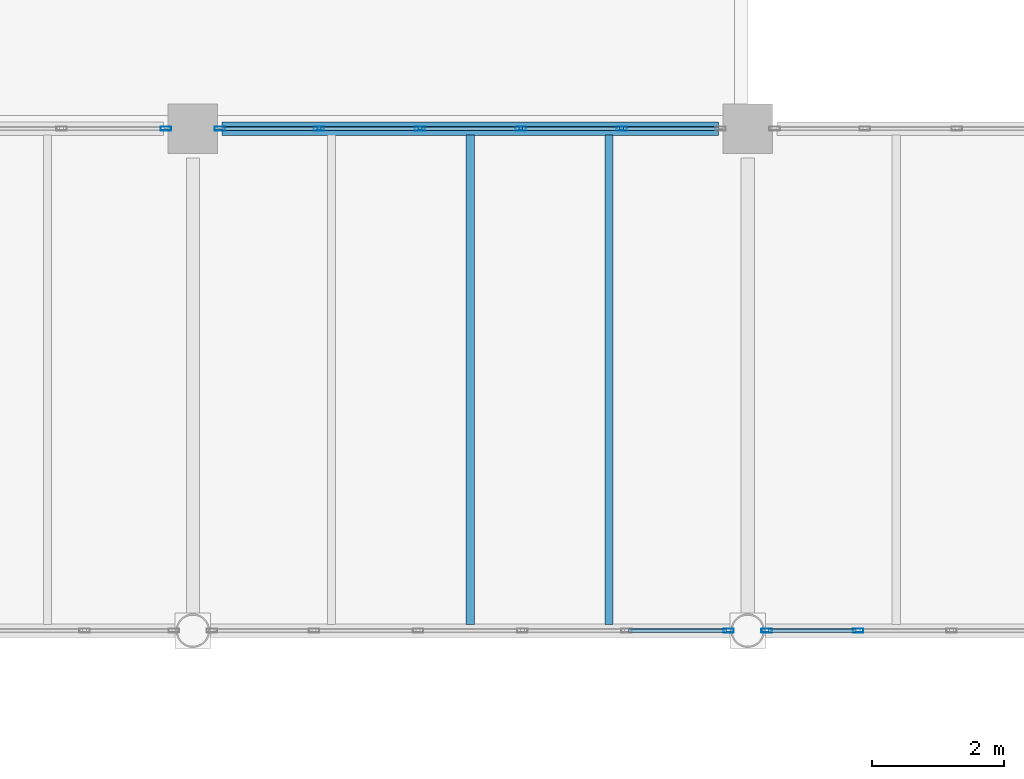
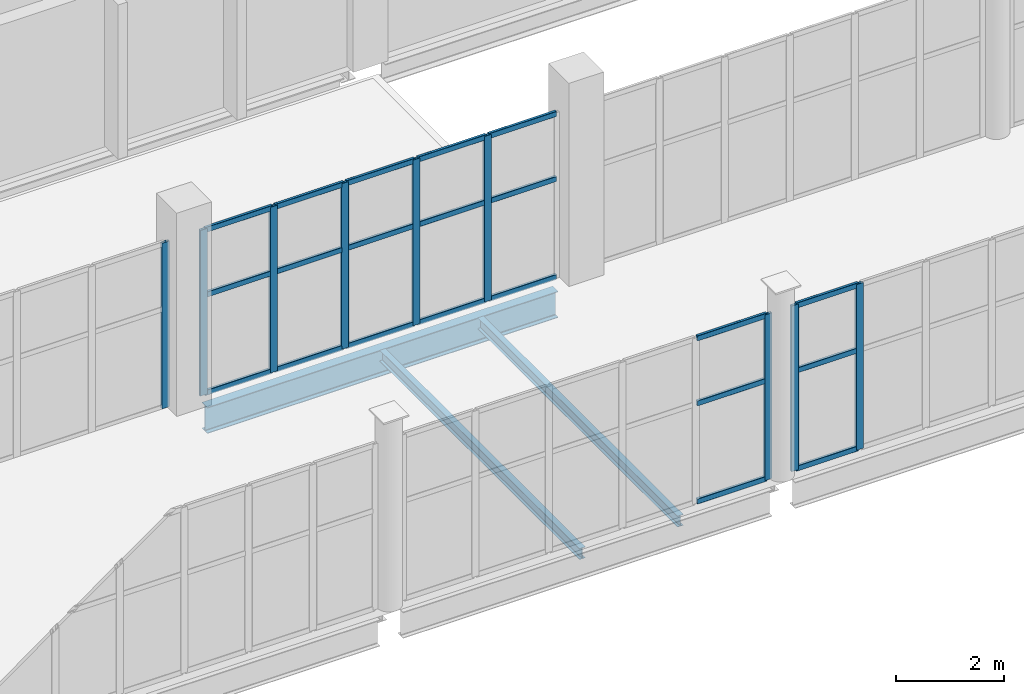
# One storey, part 61 of 136: 30 members, 3 beams, 4 elements without a shape of their own.
"""IFC4 building model written with IfcOpenShell, lengths in metres."""

from ifc_helpers import new_model, si_unit, direction, frame, origin, origin_2d, place, context, subcontext, project, spatial, hollow_rectangle, i_section, extrude, material, material_profile, profile_set, type_object, element, aggregate, save


model = new_model("IFC4")

# Units and contexts
model_context = context("Model", 3, precision=1e-05, world=origin(), true_north=direction((0.0, 1.0)))
body_context = subcontext(model_context, "Body", "Model", "MODEL_VIEW")
ifc_project = project(units=[si_unit("LENGTHUNIT", "METRE"), si_unit("AREAUNIT", "SQUARE_METRE"), si_unit("VOLUMEUNIT", "CUBIC_METRE"), si_unit("PLANEANGLEUNIT", "RADIAN"), si_unit("MASSUNIT", "GRAM", prefix="KILO")], contexts=[model_context])

# Site, building, storey
site_placement = place(None, origin())
site = spatial("IfcSite", under=ifc_project, at=site_placement, CompositionType="ELEMENT")
building_placement = place(site_placement, origin())
building = spatial("IfcBuilding", under=site, at=building_placement, Name="Shengluoqiao Park Theatre", CompositionType="ELEMENT")
storey_placement = place(building_placement, frame((0.0, 0.0, 10.0)))
storey = spatial("IfcBuildingStorey", under=building, at=storey_placement, Name="L02", CompositionType="ELEMENT", Elevation=10.0)

# Curtain wall, member
ifc_material_1 = material(Name="Aluminium 6063-T6", Category="aluminium")
curtain_wall_type = type_object("IfcCurtainWallType", Name="ENV-CW-BRIDGE", PredefinedType="NOTDEFINED", material=ifc_material_1)
curtain_wall_1_placement = place(storey_placement, origin())
curtain_wall_1 = element("IfcCurtainWall", 1, at=curtain_wall_1_placement, inside=storey, type_object=curtain_wall_type, Name="L02 Curtain Wall CWX-L02-0109", PredefinedType="NOTDEFINED")
ifc_material_profile_1 = material_profile(ifc_material_1, hollow_rectangle(XDim=0.06005859375, YDim=0.159912109375, WallThickness=0.00390625, InnerFilletRadius=0.00390625, OuterFilletRadius=0.008056640625, at=origin_2d()), Name="ALU MULLION 160x60x4")
ifc_profile_set_1 = profile_set([ifc_material_profile_1], Name="Aluminium 6063-T6")
member_type_1 = type_object("IfcMemberType", Name="ENV-MUL-160", PredefinedType="MULLION", material=ifc_profile_set_1)
member_1_placement = place(storey_placement, frame((112.112060546875, 68.39990234375, 0.0), z_axis=(0.0, 0.0, 1.0), x_axis=(0.0, 1.0, 0.0)))
member_1 = element("IfcMember", 2, at=member_1_placement, type_object=member_type_1, Name="CW-03 mullion 6", PredefinedType="MULLION", context=body_context, shape_type="SweptSolid", body=[
    extrude(hollow_rectangle(XDim=0.06005859375, YDim=0.159912109375, WallThickness=0.00390625, InnerFilletRadius=0.00390625, OuterFilletRadius=0.008056640625, at=origin_2d()), origin(), (0.0, 0.0, 1.0), 3.751953125),
])

# Curtain wall, members
curtain_wall_2_placement = place(storey_placement, origin())
curtain_wall_2 = element("IfcCurtainWall", 3, at=curtain_wall_2_placement, inside=storey, type_object=curtain_wall_type, Name="L02 Curtain Wall CWX-L02-0110", PredefinedType="NOTDEFINED")
member_2_placement = place(storey_placement, frame((112.68798828125, 68.39990234375, 0.0), z_axis=(0.0, 0.0, 1.0), x_axis=(0.0, 1.0, 0.0)))
member_2 = element("IfcMember", 4, at=member_2_placement, type_object=member_type_1, Name="CW-03 mullion 1", PredefinedType="MULLION", context=body_context, shape_type="SweptSolid", body=[
    extrude(hollow_rectangle(XDim=0.06005859375, YDim=0.159912109375, WallThickness=0.00390625, InnerFilletRadius=0.00390625, OuterFilletRadius=0.008056640625, at=origin_2d()), origin(), (0.0, 0.0, 1.0), 3.751953125),
])
member_3_placement = place(storey_placement, frame((114.072021484375, 68.39990234375, 0.0), z_axis=(0.0, 0.0, 1.0), x_axis=(0.0, 1.0, 0.0)))
member_3 = element("IfcMember", 5, at=member_3_placement, type_object=member_type_1, Name="CW-03 mullion 2", PredefinedType="MULLION", context=body_context, shape_type="SweptSolid", body=[
    extrude(hollow_rectangle(XDim=0.06005859375, YDim=0.159912109375, WallThickness=0.00390625, InnerFilletRadius=0.00390625, OuterFilletRadius=0.008056640625, at=origin_2d()), origin(), (0.0, 0.0, 1.0), 3.751953125),
])

# Curtain wall, member
curtain_wall_3_placement = place(storey_placement, origin())
curtain_wall_3 = element("IfcCurtainWall", 6, at=curtain_wall_3_placement, inside=storey, type_object=curtain_wall_type, Name="L02 Curtain Wall CWX-L02-0116", PredefinedType="NOTDEFINED")
member_4_placement = place(storey_placement, frame((103.591064453125, 76.0, 0.0), z_axis=(0.0, 0.0, 1.0), x_axis=(0.0, 1.0, 0.0)))
member_4 = element("IfcMember", 7, at=member_4_placement, type_object=member_type_1, Name="CW-03 mullion 6", PredefinedType="MULLION", context=body_context, shape_type="SweptSolid", body=[
    extrude(hollow_rectangle(XDim=0.06005859375, YDim=0.159912109375, WallThickness=0.00390625, InnerFilletRadius=0.00390625, OuterFilletRadius=0.008056640625, at=origin_2d()), origin(), (0.0, 0.0, 1.0), 3.751953125),
])
aggregate(curtain_wall_3, [member_4])

# Curtain wall, members
curtain_wall_4_placement = place(storey_placement, origin())
curtain_wall_4 = element("IfcCurtainWall", 8, at=curtain_wall_4_placement, inside=storey, type_object=curtain_wall_type, Name="L02 Curtain Wall CWX-L02-0117", PredefinedType="NOTDEFINED")
member_5_placement = place(storey_placement, frame((104.408935546875, 76.0, 0.0), z_axis=(0.0, 0.0, 1.0), x_axis=(0.0, 1.0, 0.0)))
member_5 = element("IfcMember", 9, at=member_5_placement, type_object=member_type_1, Name="CW-03 mullion 1", PredefinedType="MULLION", context=body_context, shape_type="SweptSolid", body=[
    extrude(hollow_rectangle(XDim=0.06005859375, YDim=0.159912109375, WallThickness=0.00390625, InnerFilletRadius=0.00390625, OuterFilletRadius=0.008056640625, at=origin_2d()), origin(), (0.0, 0.0, 1.0), 3.751953125),
])
member_6_placement = place(storey_placement, frame((105.907470703125, 76.0, 0.0), z_axis=(0.0, 0.0, 1.0), x_axis=(0.0, 1.0, 0.0)))
member_6 = element("IfcMember", 10, at=member_6_placement, type_object=member_type_1, Name="CW-03 mullion 2", PredefinedType="MULLION", context=body_context, shape_type="SweptSolid", body=[
    extrude(hollow_rectangle(XDim=0.06005859375, YDim=0.159912109375, WallThickness=0.00390625, InnerFilletRadius=0.00390625, OuterFilletRadius=0.008056640625, at=origin_2d()), origin(), (0.0, 0.0, 1.0), 3.751953125),
])
member_7_placement = place(storey_placement, frame((107.435791015625, 76.0, 0.0), z_axis=(0.0, 0.0, 1.0), x_axis=(0.0, 1.0, 0.0)))
member_7 = element("IfcMember", 11, at=member_7_placement, type_object=member_type_1, Name="CW-03 mullion 3", PredefinedType="MULLION", context=body_context, shape_type="SweptSolid", body=[
    extrude(hollow_rectangle(XDim=0.06005859375, YDim=0.159912109375, WallThickness=0.00390625, InnerFilletRadius=0.00390625, OuterFilletRadius=0.008056640625, at=origin_2d()), origin(), (0.0, 0.0, 1.0), 3.751953125),
])
member_8_placement = place(storey_placement, frame((108.964111328125, 76.0, 0.0), z_axis=(0.0, 0.0, 1.0), x_axis=(0.0, 1.0, 0.0)))
member_8 = element("IfcMember", 12, at=member_8_placement, type_object=member_type_1, Name="CW-03 mullion 4", PredefinedType="MULLION", context=body_context, shape_type="SweptSolid", body=[
    extrude(hollow_rectangle(XDim=0.06005859375, YDim=0.159912109375, WallThickness=0.00390625, InnerFilletRadius=0.00390625, OuterFilletRadius=0.008056640625, at=origin_2d()), origin(), (0.0, 0.0, 1.0), 3.751953125),
])
member_9_placement = place(storey_placement, frame((110.49267578125, 76.0, 0.0), z_axis=(0.0, 0.0, 1.0), x_axis=(0.0, 1.0, 0.0)))
member_9 = element("IfcMember", 13, at=member_9_placement, type_object=member_type_1, Name="CW-03 mullion 5", PredefinedType="MULLION", context=body_context, shape_type="SweptSolid", body=[
    extrude(hollow_rectangle(XDim=0.06005859375, YDim=0.159912109375, WallThickness=0.00390625, InnerFilletRadius=0.00390625, OuterFilletRadius=0.008056640625, at=origin_2d()), origin(), (0.0, 0.0, 1.0), 3.751953125),
])

# Member
ifc_material_profile_2 = material_profile(ifc_material_1, hollow_rectangle(XDim=0.06005859375, YDim=0.1201171875, WallThickness=0.00390625, InnerFilletRadius=0.00390625, OuterFilletRadius=0.008056640625, at=origin_2d()), Name="ALU TRANSOM 120x60x4")
ifc_profile_set_2 = profile_set([ifc_material_profile_2], Name="Aluminium 6063-T6")
member_type_2 = type_object("IfcMemberType", Name="ENV-TRN-120", PredefinedType="USERDEFINED", material=ifc_profile_set_2)
member_10_placement = place(storey_placement, frame((110.59521484375, 68.39990234375, 0.030029296875), z_axis=(1.0, 0.0, 0.0), x_axis=(0.0, 1.0, 0.0)))
member_10 = element("IfcMember", 14, at=member_10_placement, type_object=member_type_2, Name="CW-03 transom 5.1", ObjectType="TRANSOM", PredefinedType="USERDEFINED", context=body_context, shape_type="SweptSolid", body=[
    extrude(hollow_rectangle(XDim=0.06005859375, YDim=0.1201171875, WallThickness=0.00390625, InnerFilletRadius=0.00390625, OuterFilletRadius=0.008056640625, at=origin_2d()), origin(), (0.0, 0.0, 1.0), 1.48681640625),
])

member_11_placement = place(storey_placement, frame((110.59521484375, 68.39990234375, 2.2509765625), z_axis=(1.0, 0.0, 0.0), x_axis=(0.0, 1.0, 0.0)))
member_11 = element("IfcMember", 15, at=member_11_placement, type_object=member_type_2, Name="CW-03 transom 5.2", ObjectType="TRANSOM", PredefinedType="USERDEFINED", context=body_context, shape_type="SweptSolid", body=[
    extrude(hollow_rectangle(XDim=0.06005859375, YDim=0.1201171875, WallThickness=0.00390625, InnerFilletRadius=0.00390625, OuterFilletRadius=0.008056640625, at=origin_2d()), origin(), (0.0, 0.0, 1.0), 1.48681640625),
])

member_12_placement = place(storey_placement, frame((110.59521484375, 68.39990234375, 3.721923828125), z_axis=(1.0, 0.0, 0.0), x_axis=(0.0, 1.0, 0.0)))
member_12 = element("IfcMember", 16, at=member_12_placement, type_object=member_type_2, Name="CW-03 transom 5.3", ObjectType="TRANSOM", PredefinedType="USERDEFINED", context=body_context, shape_type="SweptSolid", body=[
    extrude(hollow_rectangle(XDim=0.06005859375, YDim=0.1201171875, WallThickness=0.00390625, InnerFilletRadius=0.00390625, OuterFilletRadius=0.008056640625, at=origin_2d()), origin(), (0.0, 0.0, 1.0), 1.48681640625),
])

aggregate(curtain_wall_1, [member_1, member_10, member_11, member_12])

member_13_placement = place(storey_placement, frame((112.718017578125, 68.39990234375, 0.030029296875), z_axis=(1.0, 0.0, 0.0), x_axis=(0.0, 1.0, 0.0)))
member_13 = element("IfcMember", 17, at=member_13_placement, type_object=member_type_2, Name="CW-03 transom 1.1", ObjectType="TRANSOM", PredefinedType="USERDEFINED", context=body_context, shape_type="SweptSolid", body=[
    extrude(hollow_rectangle(XDim=0.06005859375, YDim=0.1201171875, WallThickness=0.00390625, InnerFilletRadius=0.00390625, OuterFilletRadius=0.008056640625, at=origin_2d()), origin(), (0.0, 0.0, 1.0), 1.323974609375),
])

member_14_placement = place(storey_placement, frame((112.718017578125, 68.39990234375, 2.2509765625), z_axis=(1.0, 0.0, 0.0), x_axis=(0.0, 1.0, 0.0)))
member_14 = element("IfcMember", 18, at=member_14_placement, type_object=member_type_2, Name="CW-03 transom 1.2", ObjectType="TRANSOM", PredefinedType="USERDEFINED", context=body_context, shape_type="SweptSolid", body=[
    extrude(hollow_rectangle(XDim=0.06005859375, YDim=0.1201171875, WallThickness=0.00390625, InnerFilletRadius=0.00390625, OuterFilletRadius=0.008056640625, at=origin_2d()), origin(), (0.0, 0.0, 1.0), 1.323974609375),
])

member_15_placement = place(storey_placement, frame((112.718017578125, 68.39990234375, 3.721923828125), z_axis=(1.0, 0.0, 0.0), x_axis=(0.0, 1.0, 0.0)))
member_15 = element("IfcMember", 19, at=member_15_placement, type_object=member_type_2, Name="CW-03 transom 1.3", ObjectType="TRANSOM", PredefinedType="USERDEFINED", context=body_context, shape_type="SweptSolid", body=[
    extrude(hollow_rectangle(XDim=0.06005859375, YDim=0.1201171875, WallThickness=0.00390625, InnerFilletRadius=0.00390625, OuterFilletRadius=0.008056640625, at=origin_2d()), origin(), (0.0, 0.0, 1.0), 1.323974609375),
])

aggregate(curtain_wall_2, [member_2, member_3, member_13, member_14, member_15])

member_16_placement = place(storey_placement, frame((104.43896484375, 76.0, 0.030029296875), z_axis=(1.0, 0.0, 0.0), x_axis=(0.0, 1.0, 0.0)))
member_16 = element("IfcMember", 20, at=member_16_placement, type_object=member_type_2, Name="CW-03 transom 1.1", ObjectType="TRANSOM", PredefinedType="USERDEFINED", context=body_context, shape_type="SweptSolid", body=[
    extrude(hollow_rectangle(XDim=0.06005859375, YDim=0.1201171875, WallThickness=0.00390625, InnerFilletRadius=0.00390625, OuterFilletRadius=0.008056640625, at=origin_2d()), origin(), (0.0, 0.0, 1.0), 1.4384765625),
])

member_17_placement = place(storey_placement, frame((104.43896484375, 76.0, 2.2509765625), z_axis=(1.0, 0.0, 0.0), x_axis=(0.0, 1.0, 0.0)))
member_17 = element("IfcMember", 21, at=member_17_placement, type_object=member_type_2, Name="CW-03 transom 1.2", ObjectType="TRANSOM", PredefinedType="USERDEFINED", context=body_context, shape_type="SweptSolid", body=[
    extrude(hollow_rectangle(XDim=0.06005859375, YDim=0.1201171875, WallThickness=0.00390625, InnerFilletRadius=0.00390625, OuterFilletRadius=0.008056640625, at=origin_2d()), origin(), (0.0, 0.0, 1.0), 1.4384765625),
])

member_18_placement = place(storey_placement, frame((104.43896484375, 76.0, 3.721923828125), z_axis=(1.0, 0.0, 0.0), x_axis=(0.0, 1.0, 0.0)))
member_18 = element("IfcMember", 22, at=member_18_placement, type_object=member_type_2, Name="CW-03 transom 1.3", ObjectType="TRANSOM", PredefinedType="USERDEFINED", context=body_context, shape_type="SweptSolid", body=[
    extrude(hollow_rectangle(XDim=0.06005859375, YDim=0.1201171875, WallThickness=0.00390625, InnerFilletRadius=0.00390625, OuterFilletRadius=0.008056640625, at=origin_2d()), origin(), (0.0, 0.0, 1.0), 1.4384765625),
])

member_19_placement = place(storey_placement, frame((105.9375, 76.0, 0.030029296875), z_axis=(1.0, 0.0, 0.0), x_axis=(0.0, 1.0, 0.0)))
member_19 = element("IfcMember", 23, at=member_19_placement, type_object=member_type_2, Name="CW-03 transom 2.1", ObjectType="TRANSOM", PredefinedType="USERDEFINED", context=body_context, shape_type="SweptSolid", body=[
    extrude(hollow_rectangle(XDim=0.06005859375, YDim=0.1201171875, WallThickness=0.00390625, InnerFilletRadius=0.00390625, OuterFilletRadius=0.008056640625, at=origin_2d()), origin(), (0.0, 0.0, 1.0), 1.46826171875),
])

member_20_placement = place(storey_placement, frame((105.9375, 76.0, 2.2509765625), z_axis=(1.0, 0.0, 0.0), x_axis=(0.0, 1.0, 0.0)))
member_20 = element("IfcMember", 24, at=member_20_placement, type_object=member_type_2, Name="CW-03 transom 2.2", ObjectType="TRANSOM", PredefinedType="USERDEFINED", context=body_context, shape_type="SweptSolid", body=[
    extrude(hollow_rectangle(XDim=0.06005859375, YDim=0.1201171875, WallThickness=0.00390625, InnerFilletRadius=0.00390625, OuterFilletRadius=0.008056640625, at=origin_2d()), origin(), (0.0, 0.0, 1.0), 1.46826171875),
])

member_21_placement = place(storey_placement, frame((105.9375, 76.0, 3.721923828125), z_axis=(1.0, 0.0, 0.0), x_axis=(0.0, 1.0, 0.0)))
member_21 = element("IfcMember", 25, at=member_21_placement, type_object=member_type_2, Name="CW-03 transom 2.3", ObjectType="TRANSOM", PredefinedType="USERDEFINED", context=body_context, shape_type="SweptSolid", body=[
    extrude(hollow_rectangle(XDim=0.06005859375, YDim=0.1201171875, WallThickness=0.00390625, InnerFilletRadius=0.00390625, OuterFilletRadius=0.008056640625, at=origin_2d()), origin(), (0.0, 0.0, 1.0), 1.46826171875),
])

member_22_placement = place(storey_placement, frame((107.4658203125, 76.0, 0.030029296875), z_axis=(1.0, 0.0, 0.0), x_axis=(0.0, 1.0, 0.0)))
member_22 = element("IfcMember", 26, at=member_22_placement, type_object=member_type_2, Name="CW-03 transom 3.1", ObjectType="TRANSOM", PredefinedType="USERDEFINED", context=body_context, shape_type="SweptSolid", body=[
    extrude(hollow_rectangle(XDim=0.06005859375, YDim=0.1201171875, WallThickness=0.00390625, InnerFilletRadius=0.00390625, OuterFilletRadius=0.008056640625, at=origin_2d()), origin(), (0.0, 0.0, 1.0), 1.46826171875),
])

member_23_placement = place(storey_placement, frame((107.4658203125, 76.0, 2.2509765625), z_axis=(1.0, 0.0, 0.0), x_axis=(0.0, 1.0, 0.0)))
member_23 = element("IfcMember", 27, at=member_23_placement, type_object=member_type_2, Name="CW-03 transom 3.2", ObjectType="TRANSOM", PredefinedType="USERDEFINED", context=body_context, shape_type="SweptSolid", body=[
    extrude(hollow_rectangle(XDim=0.06005859375, YDim=0.1201171875, WallThickness=0.00390625, InnerFilletRadius=0.00390625, OuterFilletRadius=0.008056640625, at=origin_2d()), origin(), (0.0, 0.0, 1.0), 1.46826171875),
])

member_24_placement = place(storey_placement, frame((107.4658203125, 76.0, 3.721923828125), z_axis=(1.0, 0.0, 0.0), x_axis=(0.0, 1.0, 0.0)))
member_24 = element("IfcMember", 28, at=member_24_placement, type_object=member_type_2, Name="CW-03 transom 3.3", ObjectType="TRANSOM", PredefinedType="USERDEFINED", context=body_context, shape_type="SweptSolid", body=[
    extrude(hollow_rectangle(XDim=0.06005859375, YDim=0.1201171875, WallThickness=0.00390625, InnerFilletRadius=0.00390625, OuterFilletRadius=0.008056640625, at=origin_2d()), origin(), (0.0, 0.0, 1.0), 1.46826171875),
])

member_25_placement = place(storey_placement, frame((108.994140625, 76.0, 0.030029296875), z_axis=(1.0, 0.0, 0.0), x_axis=(0.0, 1.0, 0.0)))
member_25 = element("IfcMember", 29, at=member_25_placement, type_object=member_type_2, Name="CW-03 transom 4.1", ObjectType="TRANSOM", PredefinedType="USERDEFINED", context=body_context, shape_type="SweptSolid", body=[
    extrude(hollow_rectangle(XDim=0.06005859375, YDim=0.1201171875, WallThickness=0.00390625, InnerFilletRadius=0.00390625, OuterFilletRadius=0.008056640625, at=origin_2d()), origin(), (0.0, 0.0, 1.0), 1.468505859375),
])

member_26_placement = place(storey_placement, frame((108.994140625, 76.0, 2.2509765625), z_axis=(1.0, 0.0, 0.0), x_axis=(0.0, 1.0, 0.0)))
member_26 = element("IfcMember", 30, at=member_26_placement, type_object=member_type_2, Name="CW-03 transom 4.2", ObjectType="TRANSOM", PredefinedType="USERDEFINED", context=body_context, shape_type="SweptSolid", body=[
    extrude(hollow_rectangle(XDim=0.06005859375, YDim=0.1201171875, WallThickness=0.00390625, InnerFilletRadius=0.00390625, OuterFilletRadius=0.008056640625, at=origin_2d()), origin(), (0.0, 0.0, 1.0), 1.468505859375),
])

member_27_placement = place(storey_placement, frame((108.994140625, 76.0, 3.721923828125), z_axis=(1.0, 0.0, 0.0), x_axis=(0.0, 1.0, 0.0)))
member_27 = element("IfcMember", 31, at=member_27_placement, type_object=member_type_2, Name="CW-03 transom 4.3", ObjectType="TRANSOM", PredefinedType="USERDEFINED", context=body_context, shape_type="SweptSolid", body=[
    extrude(hollow_rectangle(XDim=0.06005859375, YDim=0.1201171875, WallThickness=0.00390625, InnerFilletRadius=0.00390625, OuterFilletRadius=0.008056640625, at=origin_2d()), origin(), (0.0, 0.0, 1.0), 1.468505859375),
])

member_28_placement = place(storey_placement, frame((110.522705078125, 76.0, 0.030029296875), z_axis=(1.0, 0.0, 0.0), x_axis=(0.0, 1.0, 0.0)))
member_28 = element("IfcMember", 32, at=member_28_placement, type_object=member_type_2, Name="CW-03 transom 5.1", ObjectType="TRANSOM", PredefinedType="USERDEFINED", context=body_context, shape_type="SweptSolid", body=[
    extrude(hollow_rectangle(XDim=0.06005859375, YDim=0.1201171875, WallThickness=0.00390625, InnerFilletRadius=0.00390625, OuterFilletRadius=0.008056640625, at=origin_2d()), origin(), (0.0, 0.0, 1.0), 1.438232421875),
])

member_29_placement = place(storey_placement, frame((110.522705078125, 76.0, 2.2509765625), z_axis=(1.0, 0.0, 0.0), x_axis=(0.0, 1.0, 0.0)))
member_29 = element("IfcMember", 33, at=member_29_placement, type_object=member_type_2, Name="CW-03 transom 5.2", ObjectType="TRANSOM", PredefinedType="USERDEFINED", context=body_context, shape_type="SweptSolid", body=[
    extrude(hollow_rectangle(XDim=0.06005859375, YDim=0.1201171875, WallThickness=0.00390625, InnerFilletRadius=0.00390625, OuterFilletRadius=0.008056640625, at=origin_2d()), origin(), (0.0, 0.0, 1.0), 1.438232421875),
])

member_30_placement = place(storey_placement, frame((110.522705078125, 76.0, 3.721923828125), z_axis=(1.0, 0.0, 0.0), x_axis=(0.0, 1.0, 0.0)))
member_30 = element("IfcMember", 34, at=member_30_placement, type_object=member_type_2, Name="CW-03 transom 5.3", ObjectType="TRANSOM", PredefinedType="USERDEFINED", context=body_context, shape_type="SweptSolid", body=[
    extrude(hollow_rectangle(XDim=0.06005859375, YDim=0.1201171875, WallThickness=0.00390625, InnerFilletRadius=0.00390625, OuterFilletRadius=0.008056640625, at=origin_2d()), origin(), (0.0, 0.0, 1.0), 1.438232421875),
])

aggregate(curtain_wall_4, [member_5, member_6, member_7, member_8, member_9, member_16, member_17, member_18, member_19, member_20, member_21, member_22, member_23, member_24, member_25, member_26, member_27, member_28, member_29, member_30])

# Beams
ifc_material_2 = material(Name="Steel Q355", Category="steel")
ifc_material_profile_3 = material_profile(ifc_material_2, i_section(OverallWidth=0.125, OverallDepth=0.25, WebThickness=0.006103515625, FlangeThickness=0.009033203125, FilletRadius=0.010009765625, at=origin_2d()), Name="HN 250x125x6x9")
ifc_profile_set_3 = profile_set([ifc_material_profile_3], Name="Steel Q355")
beam_type_1 = type_object("IfcBeamType", Name="STR-BM-J-HN250", PredefinedType="JOIST", material=ifc_profile_set_3)
for number, where, z_axis, x_axis, name in (
    (35, (108.199951171875, 68.494384765625, -0.375), (0.0, 1.0, 0.0), (-1.0, 0.0, 0.0), "L02 Composite Joist 01036"),
    (36, (110.300048828125, 68.494384765625, -0.375), (0.0, 1.0, 0.0), (-1.0, 0.0, 0.0), "L02 Composite Joist 01037"),
):
    element("IfcBeam", number, at=place(storey_placement, frame(where, z_axis=z_axis, x_axis=x_axis)), inside=storey, type_object=beam_type_1, Name=name, PredefinedType="JOIST", context=body_context, shape_type="SweptSolid", body=[
        extrude(i_section(OverallWidth=0.125, OverallDepth=0.25, WebThickness=0.006103515625, FlangeThickness=0.009033203125, FilletRadius=0.010009765625, at=origin_2d()), origin(), (0.0, 0.0, 1.0), 7.4111328125),
    ])
ifc_material_profile_4 = material_profile(ifc_material_2, i_section(OverallWidth=0.198974609375, OverallDepth=0.595947265625, WebThickness=0.010009765625, FlangeThickness=0.014892578125, FilletRadius=0.02001953125, at=origin_2d()), Name="HN 596x199x10x15")
ifc_profile_set_4 = profile_set([ifc_material_profile_4], Name="Steel Q355")
beam_type_2 = type_object("IfcBeamType", Name="STR-BM-SP-HN596", PredefinedType="SPANDREL", material=ifc_profile_set_4)
beam_placement = place(storey_placement, frame((104.444091796875, 76.0, -0.548095703125), z_axis=(1.0, 0.0, 0.0), x_axis=(0.0, 1.0, 0.0)))
element("IfcBeam", 37, at=beam_placement, inside=storey, type_object=beam_type_2, Name="L02 Primary Girder 01015", PredefinedType="SPANDREL", context=body_context, shape_type="SweptSolid", body=[
    extrude(i_section(OverallWidth=0.198974609375, OverallDepth=0.595947265625, WebThickness=0.010009765625, FlangeThickness=0.014892578125, FilletRadius=0.02001953125, at=origin_2d()), origin(), (0.0, 0.0, 1.0), 7.511962890625),
])

save(model, "model.ifc")
